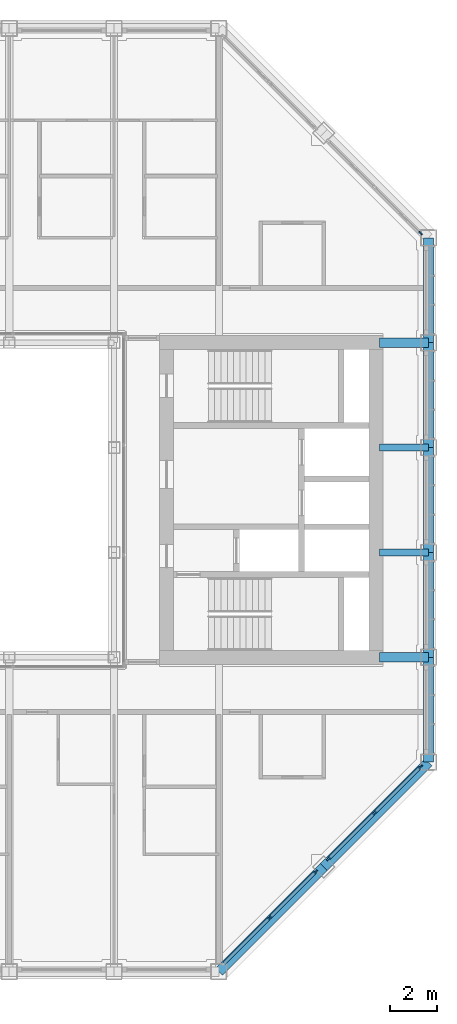
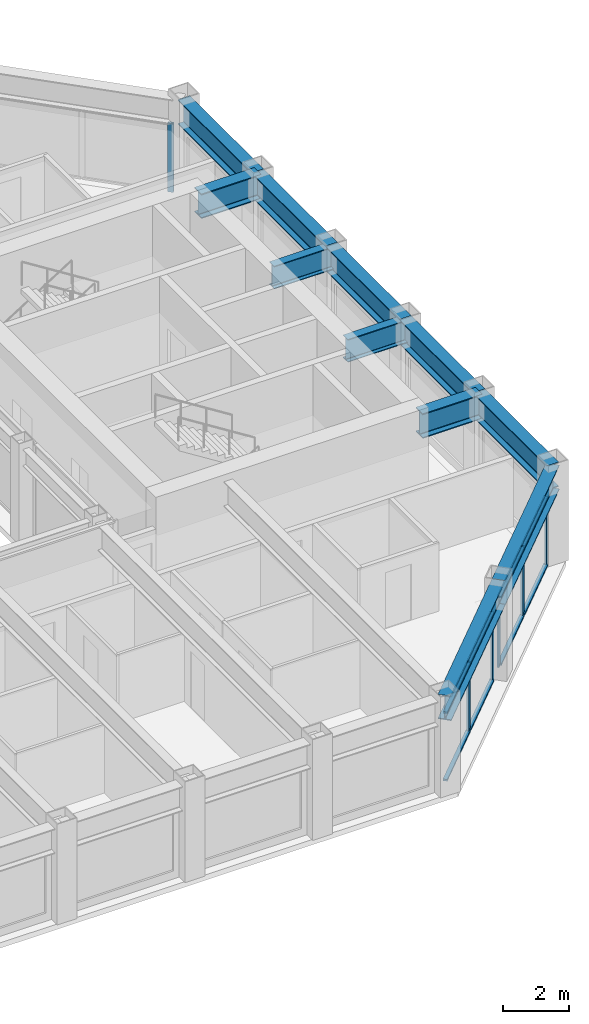
# One storey, part 5 of 17: 14 members, 11 beams, 3 elements without a shape of their own.
"""IFC4 building model written with IfcOpenShell, lengths in metres."""

from ifc_helpers import new_model, si_unit, direction, frame, origin, origin_2d, place, context, subcontext, project, spatial, rectangle, i_section, extrude, material, material_profile, profile_set, type_object, element, aggregate, save


model = new_model("IFC4")

# Units and contexts
model_context = context("Model", 3, precision=1e-05, world=origin(), true_north=direction((0.0, 1.0)))
body_context = subcontext(model_context, "Body", "Model", "MODEL_VIEW")
ifc_project = project(units=[si_unit("LENGTHUNIT", "METRE"), si_unit("AREAUNIT", "SQUARE_METRE"), si_unit("VOLUMEUNIT", "CUBIC_METRE"), si_unit("PLANEANGLEUNIT", "RADIAN"), si_unit("MASSUNIT", "GRAM", prefix="KILO")], contexts=[model_context])

# Site, building, storey
site_placement = place(None, origin())
site = spatial("IfcSite", under=ifc_project, at=site_placement, CompositionType="ELEMENT")
building_placement = place(site_placement, origin())
building = spatial("IfcBuilding", under=site, at=building_placement, Name="Msasa Ring Tower", CompositionType="ELEMENT")
storey_placement = place(building_placement, frame((0.0, 0.0, 253.300048828125)))
storey = spatial("IfcBuildingStorey", under=building, at=storey_placement, Name="L66", CompositionType="ELEMENT", Elevation=253.300048828125)

# Curtain wall, members
ifc_material_1 = material(Name="Aluminium curtain wall with clear glass", Category="aluminium")
curtain_wall_type = type_object("IfcCurtainWallType", Name="CW-C CHAMFER CORNER CURTAIN WALL", PredefinedType="NOTDEFINED", material=ifc_material_1)
curtain_wall_1_placement = place(storey_placement, origin())
curtain_wall_1 = element("IfcCurtainWall", 1, at=curtain_wall_1_placement, inside=storey, type_object=curtain_wall_type, Name="Chamfer corner curtain wall SE L66", PredefinedType="NOTDEFINED")
ifc_material_2 = material(Name="Aluminium mullion", Category="aluminium")
ifc_material_profile_1 = material_profile(ifc_material_2, rectangle(XDim=0.06494140625, YDim=0.179931640625, at=origin_2d()), Name="AL 65x180")
ifc_profile_set_1 = profile_set([ifc_material_profile_1], Name="Aluminium mullion")
member_type_1 = type_object("IfcMemberType", Name="CW-C MULLION 65x180", PredefinedType="MULLION", material=ifc_profile_set_1)
member_1_placement = place(storey_placement, frame((13.42919921875, -17.92919921875, 0.0), z_axis=(0.0, 0.0, 1.0), x_axis=(-0.707106781187, 0.707106781187, 0.0)))
member_1 = element("IfcMember", 2, at=member_1_placement, type_object=member_type_1, Name="CW-C mullion 2", PredefinedType="MULLION", context=body_context, shape_type="SweptSolid", body=[
    extrude(rectangle(XDim=0.06494140625, YDim=0.179931640625, at=origin_2d()), origin(), (0.0, 0.0, 1.0), 2.578857421875),
])
member_2_placement = place(storey_placement, frame((15.4052734375, -15.953369140625, 0.0), z_axis=(0.0, 0.0, 1.0), x_axis=(-0.707106781187, 0.707106781187, 0.0)))
member_2 = element("IfcMember", 3, at=member_2_placement, type_object=member_type_1, Name="CW-C mullion 3", PredefinedType="MULLION", context=body_context, shape_type="SweptSolid", body=[
    extrude(rectangle(XDim=0.06494140625, YDim=0.179931640625, at=origin_2d()), origin(), (0.0, 0.0, 1.0), 2.578857421875),
])

curtain_wall_2_placement = place(storey_placement, origin())
curtain_wall_2 = element("IfcCurtainWall", 4, at=curtain_wall_2_placement, inside=storey, type_object=curtain_wall_type, Name="Chamfer corner curtain wall SE L66", PredefinedType="NOTDEFINED")
member_3_placement = place(storey_placement, frame((15.953369140625, -15.4052734375, 0.0), z_axis=(0.0, 0.0, 1.0), x_axis=(-0.707106781187, 0.707106781187, 0.0)))
member_3 = element("IfcMember", 5, at=member_3_placement, type_object=member_type_1, Name="CW-C mullion 1", PredefinedType="MULLION", context=body_context, shape_type="SweptSolid", body=[
    extrude(rectangle(XDim=0.06494140625, YDim=0.179931640625, at=origin_2d()), origin(), (0.0, 0.0, 1.0), 2.578857421875),
])
member_4_placement = place(storey_placement, frame((17.92919921875, -13.42919921875, 0.0), z_axis=(0.0, 0.0, 1.0), x_axis=(-0.707106781187, 0.707106781187, 0.0)))
member_4 = element("IfcMember", 6, at=member_4_placement, type_object=member_type_1, Name="CW-C mullion 2", PredefinedType="MULLION", context=body_context, shape_type="SweptSolid", body=[
    extrude(rectangle(XDim=0.06494140625, YDim=0.179931640625, at=origin_2d()), origin(), (0.0, 0.0, 1.0), 2.578857421875),
])
member_5_placement = place(storey_placement, frame((19.9052734375, -11.453369140625, 0.0), z_axis=(0.0, 0.0, 1.0), x_axis=(-0.707106781187, 0.707106781187, 0.0)))
member_5 = element("IfcMember", 7, at=member_5_placement, type_object=member_type_1, Name="CW-C mullion 3", PredefinedType="MULLION", context=body_context, shape_type="SweptSolid", body=[
    extrude(rectangle(XDim=0.06494140625, YDim=0.179931640625, at=origin_2d()), origin(), (0.0, 0.0, 1.0), 2.578857421875),
])

# Curtain wall, member
curtain_wall_3_placement = place(storey_placement, origin())
curtain_wall_3 = element("IfcCurtainWall", 8, at=curtain_wall_3_placement, inside=storey, type_object=curtain_wall_type, Name="Chamfer corner curtain wall NE L66", PredefinedType="NOTDEFINED")
member_6_placement = place(storey_placement, frame((19.9052734375, 11.453369140625, 0.0), z_axis=(0.0, 0.0, 1.0), x_axis=(-0.707106781187, -0.707106781187, 0.0)))
member_6 = element("IfcMember", 9, at=member_6_placement, type_object=member_type_1, Name="CW-C mullion 1", PredefinedType="MULLION", context=body_context, shape_type="SweptSolid", body=[
    extrude(rectangle(XDim=0.06494140625, YDim=0.179931640625, at=origin_2d()), origin(), (0.0, 0.0, 1.0), 2.578857421875),
])
aggregate(curtain_wall_3, [member_6])

# Member
ifc_material_3 = material(Name="Aluminium transom", Category="aluminium")
ifc_material_profile_2 = material_profile(ifc_material_3, rectangle(XDim=0.139892578125, YDim=0.06494140625, at=origin_2d()), Name="AL 65x140")
ifc_profile_set_2 = profile_set([ifc_material_profile_2], Name="Aluminium transom")
member_type_2 = type_object("IfcMemberType", Name="CW-C TRANSOM 65x140", PredefinedType="USERDEFINED", material=ifc_profile_set_2)
member_7_placement = place(storey_placement, frame((11.476318359375, -19.88232421875, 0.032470703125), z_axis=(0.707106781187, 0.707106781187, 0.0), x_axis=(-0.707106781187, 0.707106781187, 0.0)))
member_7 = element("IfcMember", 10, at=member_7_placement, type_object=member_type_2, Name="CW-C transom 1.1", ObjectType="TRANSOM", PredefinedType="USERDEFINED", context=body_context, shape_type="SweptSolid", body=[
    extrude(rectangle(XDim=0.139892578125, YDim=0.06494140625, at=origin_2d()), origin(), (0.0, 0.0, 1.0), 2.729248046875),
])

member_8_placement = place(storey_placement, frame((11.476318359375, -19.88232421875, 2.54638671875), z_axis=(0.707106781187, 0.707106781187, 0.0), x_axis=(-0.707106781187, 0.707106781187, 0.0)))
member_8 = element("IfcMember", 11, at=member_8_placement, type_object=member_type_2, Name="CW-C transom 1.2", ObjectType="TRANSOM", PredefinedType="USERDEFINED", context=body_context, shape_type="SweptSolid", body=[
    extrude(rectangle(XDim=0.139892578125, YDim=0.06494140625, at=origin_2d()), origin(), (0.0, 0.0, 1.0), 2.729248046875),
])

member_9_placement = place(storey_placement, frame((13.452392578125, -17.90625, 0.032470703125), z_axis=(0.707106781187, 0.707106781187, 0.0), x_axis=(-0.707106781187, 0.707106781187, 0.0)))
member_9 = element("IfcMember", 12, at=member_9_placement, type_object=member_type_2, Name="CW-C transom 2.1", ObjectType="TRANSOM", PredefinedType="USERDEFINED", context=body_context, shape_type="SweptSolid", body=[
    extrude(rectangle(XDim=0.139892578125, YDim=0.06494140625, at=origin_2d()), origin(), (0.0, 0.0, 1.0), 2.729248046875),
])

member_10_placement = place(storey_placement, frame((13.452392578125, -17.90625, 2.54638671875), z_axis=(0.707106781187, 0.707106781187, 0.0), x_axis=(-0.707106781187, 0.707106781187, 0.0)))
member_10 = element("IfcMember", 13, at=member_10_placement, type_object=member_type_2, Name="CW-C transom 2.2", ObjectType="TRANSOM", PredefinedType="USERDEFINED", context=body_context, shape_type="SweptSolid", body=[
    extrude(rectangle(XDim=0.139892578125, YDim=0.06494140625, at=origin_2d()), origin(), (0.0, 0.0, 1.0), 2.729248046875),
])

aggregate(curtain_wall_1, [member_1, member_2, member_7, member_8, member_9, member_10])

member_11_placement = place(storey_placement, frame((15.976318359375, -15.38232421875, 0.032470703125), z_axis=(0.707106781187, 0.707106781187, 0.0), x_axis=(-0.707106781187, 0.707106781187, 0.0)))
member_11 = element("IfcMember", 14, at=member_11_placement, type_object=member_type_2, Name="CW-C transom 1.1", ObjectType="TRANSOM", PredefinedType="USERDEFINED", context=body_context, shape_type="SweptSolid", body=[
    extrude(rectangle(XDim=0.139892578125, YDim=0.06494140625, at=origin_2d()), origin(), (0.0, 0.0, 1.0), 2.729248046875),
])

member_12_placement = place(storey_placement, frame((15.976318359375, -15.38232421875, 2.54638671875), z_axis=(0.707106781187, 0.707106781187, 0.0), x_axis=(-0.707106781187, 0.707106781187, 0.0)))
member_12 = element("IfcMember", 15, at=member_12_placement, type_object=member_type_2, Name="CW-C transom 1.2", ObjectType="TRANSOM", PredefinedType="USERDEFINED", context=body_context, shape_type="SweptSolid", body=[
    extrude(rectangle(XDim=0.139892578125, YDim=0.06494140625, at=origin_2d()), origin(), (0.0, 0.0, 1.0), 2.729248046875),
])

member_13_placement = place(storey_placement, frame((17.952392578125, -13.40625, 0.032470703125), z_axis=(0.707106781187, 0.707106781187, 0.0), x_axis=(-0.707106781187, 0.707106781187, 0.0)))
member_13 = element("IfcMember", 16, at=member_13_placement, type_object=member_type_2, Name="CW-C transom 2.1", ObjectType="TRANSOM", PredefinedType="USERDEFINED", context=body_context, shape_type="SweptSolid", body=[
    extrude(rectangle(XDim=0.139892578125, YDim=0.06494140625, at=origin_2d()), origin(), (0.0, 0.0, 1.0), 2.729248046875),
])

member_14_placement = place(storey_placement, frame((17.952392578125, -13.40625, 2.54638671875), z_axis=(0.707106781187, 0.707106781187, 0.0), x_axis=(-0.707106781187, 0.707106781187, 0.0)))
member_14 = element("IfcMember", 17, at=member_14_placement, type_object=member_type_2, Name="CW-C transom 2.2", ObjectType="TRANSOM", PredefinedType="USERDEFINED", context=body_context, shape_type="SweptSolid", body=[
    extrude(rectangle(XDim=0.139892578125, YDim=0.06494140625, at=origin_2d()), origin(), (0.0, 0.0, 1.0), 2.729248046875),
])

aggregate(curtain_wall_2, [member_3, member_4, member_5, member_11, member_12, member_13, member_14])

# Beams
ifc_material_4 = material(Name="Steel S355", Category="steel")
ifc_material_profile_3 = material_profile(ifc_material_4, i_section(OverallWidth=0.293701171875, OverallDepth=0.850830078125, WebThickness=0.01611328125, FlangeThickness=0.02685546875, FilletRadius=0.017822265625, at=origin_2d()), Name="UB 838x292x226")
ifc_profile_set_3 = profile_set([ifc_material_profile_3], Name="Steel S355")
beam_type_1 = type_object("IfcBeamType", Name="FB5 UB 838x292x226", PredefinedType="BEAM", material=ifc_profile_set_3)
for number, where, z_axis, x_axis, name in (
    (18, (20.25, -2.25, 3.074462890625), (-1.0, 0.0, 0.0), (0.0, -1.0, 0.0), "Floor beam E -2.25 under L67"),
    (19, (20.25, 2.25, 3.074462890625), (-1.0, 0.0, 0.0), (0.0, -1.0, 0.0), "Floor beam E +2.25 under L67"),
):
    element("IfcBeam", number, at=place(storey_placement, frame(where, z_axis=z_axis, x_axis=x_axis)), inside=storey, type_object=beam_type_1, Name=name, PredefinedType="BEAM", context=body_context, shape_type="SweptSolid", body=[
        extrude(i_section(OverallWidth=0.293701171875, OverallDepth=0.850830078125, WebThickness=0.01611328125, FlangeThickness=0.02685546875, FilletRadius=0.017822265625, at=origin_2d()), origin(), (0.0, 0.0, 1.0), 2.10009765625),
    ])
ifc_material_5 = material(Name="Steel S355", Category="steel")
ifc_material_profile_4 = material_profile(ifc_material_5, i_section(OverallWidth=0.42041015625, OverallDepth=0.9208984375, WebThickness=0.021484375, FlangeThickness=0.03662109375, FilletRadius=0.024169921875, at=origin_2d()), Name="UB 914x419x388")
ifc_profile_set_4 = profile_set([ifc_material_profile_4], Name="Steel S355")
beam_type_2 = type_object("IfcBeamType", Name="GB1 UB 914x419x388", PredefinedType="BEAM", material=ifc_profile_set_4)
for number, where, z_axis, x_axis, name in (
    (20, (18.14990234375, 6.75, 3.03955078125), (1.0, 0.0, 0.0), (0.0, 1.0, 0.0), "Girder E +6.75 under L67"),
    (21, (18.14990234375, -6.75, 3.03955078125), (1.0, 0.0, 0.0), (0.0, 1.0, 0.0), "Girder E -6.75 under L67"),
):
    element("IfcBeam", number, at=place(storey_placement, frame(where, z_axis=z_axis, x_axis=x_axis)), inside=storey, type_object=beam_type_2, Name=name, PredefinedType="BEAM", context=body_context, shape_type="SweptSolid", body=[
        extrude(i_section(OverallWidth=0.42041015625, OverallDepth=0.9208984375, WebThickness=0.021484375, FlangeThickness=0.03662109375, FilletRadius=0.024169921875, at=origin_2d()), origin(), (0.0, 0.0, 1.0), 2.10009765625),
    ])
ifc_material_6 = material(Name="Steel S355", Category="steel")
ifc_material_profile_5 = material_profile(ifc_material_6, i_section(OverallWidth=0.42041015625, OverallDepth=0.9208984375, WebThickness=0.021484375, FlangeThickness=0.03662109375, FilletRadius=0.024169921875, at=origin_2d()), Name="UB 914x419x388")
ifc_profile_set_5 = profile_set([ifc_material_profile_5], Name="Steel S355")
beam_type_3 = type_object("IfcBeamType", Name="SB1 UB 914x419x388", PredefinedType="SPANDREL", material=ifc_profile_set_5)
for number, where, z_axis, x_axis, name in (
    (22, (11.25, -20.25, 3.03955078125), (0.707106781187, 0.707106781187, 0.0), (-0.707106781187, 0.707106781187, 0.0), "Spandrel S+11.25 to SE under L67"),
    (23, (15.75, -15.75, 3.03955078125), (0.707106781187, 0.707106781187, 0.0), (-0.707106781187, 0.707106781187, 0.0), "Spandrel SE to E-11.25 under L67"),
):
    element("IfcBeam", number, at=place(storey_placement, frame(where, z_axis=z_axis, x_axis=x_axis)), inside=storey, type_object=beam_type_3, Name=name, PredefinedType="SPANDREL", context=body_context, shape_type="SweptSolid", body=[
        extrude(i_section(OverallWidth=0.42041015625, OverallDepth=0.9208984375, WebThickness=0.021484375, FlangeThickness=0.03662109375, FilletRadius=0.024169921875, at=origin_2d()), origin(), (0.0, 0.0, 1.0), 6.364013671875),
    ])
for number, where, z_axis, x_axis, name in (
    (24, (20.25, -11.25, 3.03955078125), (0.0, 1.0, 0.0), (-1.0, 0.0, 0.0), "Spandrel E-11.25 to E-6.75 under L67"),
    (25, (20.25, -6.75, 3.03955078125), (0.0, 1.0, 0.0), (-1.0, 0.0, 0.0), "Spandrel E-6.75 to E-2.25 under L67"),
    (26, (20.25, -2.25, 3.03955078125), (0.0, 1.0, 0.0), (-1.0, 0.0, 0.0), "Spandrel E-2.25 to E+2.25 under L67"),
    (27, (20.25, 2.25, 3.03955078125), (0.0, 1.0, 0.0), (-1.0, 0.0, 0.0), "Spandrel E+2.25 to E+6.75 under L67"),
    (28, (20.25, 6.75, 3.03955078125), (0.0, 1.0, 0.0), (-1.0, 0.0, 0.0), "Spandrel E+6.75 to E+11.25 under L67"),
):
    element("IfcBeam", number, at=place(storey_placement, frame(where, z_axis=z_axis, x_axis=x_axis)), inside=storey, type_object=beam_type_3, Name=name, PredefinedType="SPANDREL", context=body_context, shape_type="SweptSolid", body=[
        extrude(i_section(OverallWidth=0.42041015625, OverallDepth=0.9208984375, WebThickness=0.021484375, FlangeThickness=0.03662109375, FilletRadius=0.024169921875, at=origin_2d()), origin(), (0.0, 0.0, 1.0), 4.5),
    ])

save(model, "model.ifc")
